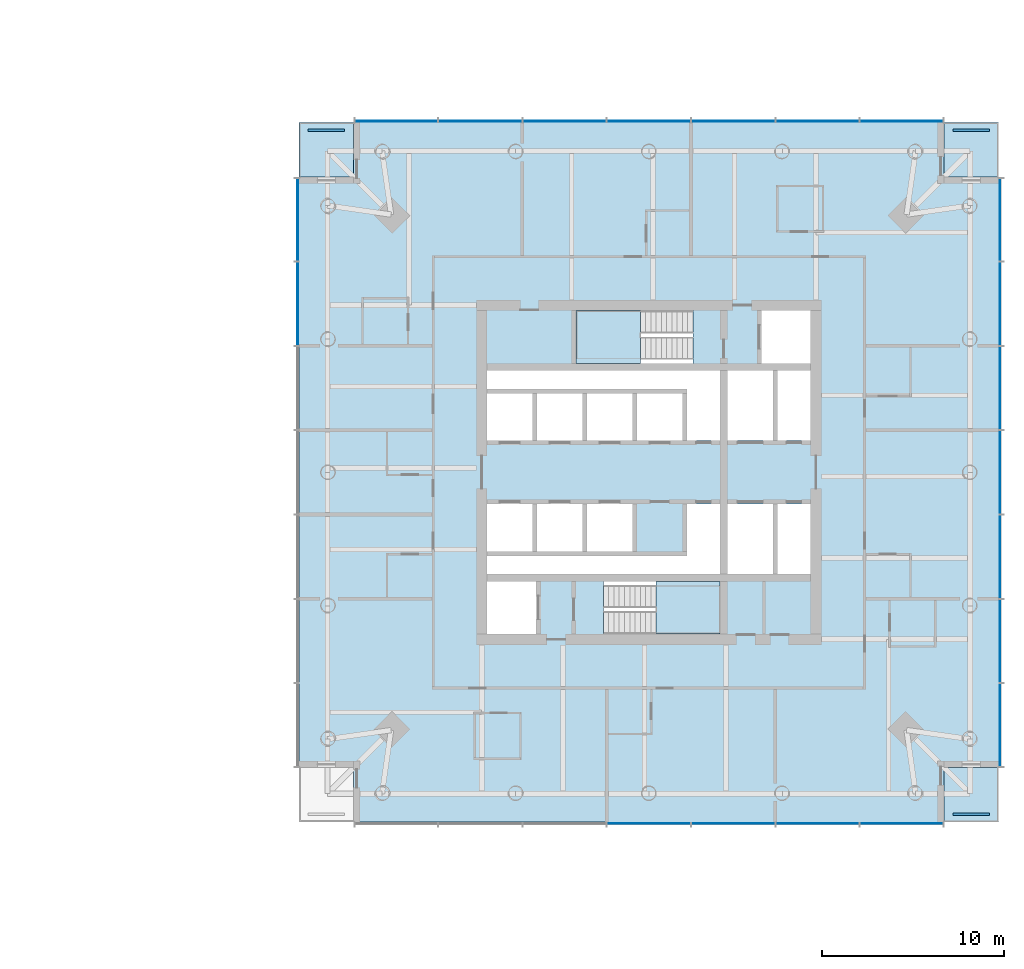
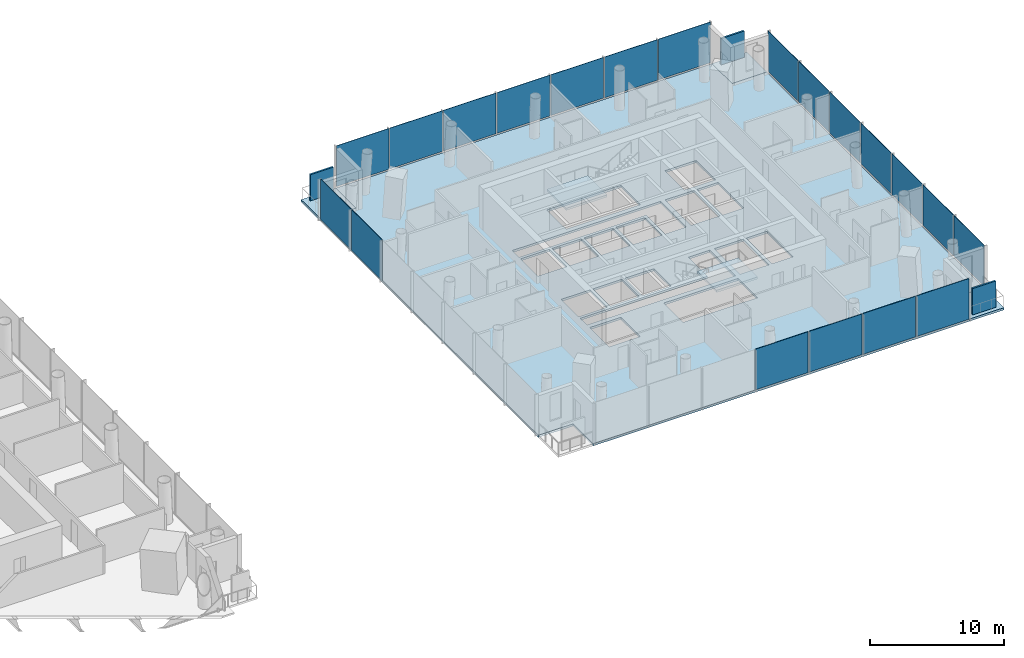
# One storey, part 8 of 26: 23 plates, 6 slabs, 6 elements without a shape of their own.
"""IFC4 building model written with IfcOpenShell, lengths in metres."""

import ifcopenshell
import ifcopenshell.guid

model = None  # the IFC model being written
_history = None  # IfcOwnerHistory: only IFC2X3 demands one
_inside = {}  # id of a spatial element -> (the spatial element, [elements in it])
_under = {}  # id of a project, library or spatial element -> (it, [spatial elements below it])
_declared = {}  # id of a project -> (the project, [libraries it declares])
_typed = {}  # id of a type object -> (the type object, [elements of that type])
_made_of = {}  # id of a material, layer set ... -> (it, [elements and type objects made of it])


def new_model(schema):
    """Start an empty IFC model of exactly this schema.

    Asked for "IFC4X3", IfcOpenShell would pick the latest addendum, in which some entities
    have other attributes; the version numbers below select the first issue.
    IFC2X3 requires an IfcOwnerHistory on every rooted entity: one is made here for all.
    """
    global model, _history
    if schema == "IFC4X3":
        model = ifcopenshell.file(schema_version=(4, 3, 0, 0))
    else:
        model = ifcopenshell.file(schema=schema)
    _inside.clear()
    _under.clear()
    _declared.clear()
    _typed.clear()
    _made_of.clear()
    _history = None
    if model.schema == "IFC2X3":
        org = make("IfcOrganization", Name="unknown")
        user = make(
            "IfcPersonAndOrganization",
            ThePerson=make("IfcPerson", FamilyName="unknown"),
            TheOrganization=org,
        )
        app = make(
            "IfcApplication",
            ApplicationDeveloper=org,
            Version="unknown",
            ApplicationFullName="unknown",
            ApplicationIdentifier="unknown",
        )
        _history = make(
            "IfcOwnerHistory",
            OwningUser=user,
            OwningApplication=app,
            ChangeAction="ADDED",
            CreationDate=0,
        )
    return model


def make(cls, **values):
    """One entity of the class cls with the attributes given. An attribute that is None is left unset."""
    return model.create_entity(
        cls, **{name: value for name, value in values.items() if value is not None}
    )


def rooted(cls, **values):
    """An entity with a GlobalId (a new one), such as an element, a storey or a relation."""
    return make(cls, GlobalId=ifcopenshell.guid.new(), OwnerHistory=_history, **values)


def si_unit(unit_type, name, prefix=None):
    """IfcSIUnit, for example si_unit("LENGTHUNIT", "METRE", prefix="MILLI")."""
    return make("IfcSIUnit", UnitType=unit_type, Prefix=prefix, Name=name)


def assignment(units):
    """IfcUnitAssignment: the units of a project."""
    return None if units is None else make("IfcUnitAssignment", Units=units)


def point(xyz):
    """IfcCartesianPoint."""
    return None if xyz is None else make("IfcCartesianPoint", Coordinates=xyz)


def direction(xyz):
    """IfcDirection."""
    return None if xyz is None else make("IfcDirection", DirectionRatios=xyz)


def frame(location, z_axis=None, x_axis=None):
    """IfcAxis2Placement3D, a coordinate frame: its origin and axes. An axis left out is left unset."""
    return make(
        "IfcAxis2Placement3D",
        Location=point(location),
        Axis=direction(z_axis),
        RefDirection=direction(x_axis),
    )


def frame_2d(location, x_axis=None):
    """IfcAxis2Placement2D, a coordinate frame in the plane: its origin and x axis."""
    return make(
        "IfcAxis2Placement2D", Location=point(location), RefDirection=direction(x_axis)
    )


def origin():
    """The frame at (0, 0, 0) with its axes left unset."""
    return frame((0.0, 0.0, 0.0))


def origin_2d():
    """The frame at (0, 0) in the plane with its x axis left unset."""
    return frame_2d((0.0, 0.0))


def place(relative_to, where):
    """IfcLocalPlacement: puts the frame where relative to a parent placement (None: the world)."""
    return make(
        "IfcLocalPlacement", PlacementRelTo=relative_to, RelativePlacement=where
    )


def context(
    kind, dimensions, precision=None, world=None, true_north=None, identifier=None
):
    """IfcGeometricRepresentationContext, for example the 3D "Model" context."""
    return make(
        "IfcGeometricRepresentationContext",
        ContextIdentifier=identifier,
        ContextType=kind,
        CoordinateSpaceDimension=dimensions,
        Precision=precision,
        WorldCoordinateSystem=world,
        TrueNorth=true_north,
    )


def subcontext(parent, identifier, kind, view, scale=None):
    """IfcGeometricRepresentationSubContext, for example "Body" below "Model"."""
    return make(
        "IfcGeometricRepresentationSubContext",
        ContextIdentifier=identifier,
        ContextType=kind,
        ParentContext=parent,
        TargetScale=scale,
        TargetView=view,
    )


def project(units=None, contexts=None):
    """IfcProject with its units and contexts."""
    return rooted(
        "IfcProject",
        Name="project",
        RepresentationContexts=contexts,
        UnitsInContext=assignment(units),
    )


def spatial(cls, under=None, at=None, **own):
    """A site, building, storey or space (cls), placed at a placement, below another one or the project."""
    s = rooted(cls, ObjectPlacement=at, **own)
    if under is not None:
        _under.setdefault(under.id(), (under, []))[1].append(s)
    return s


def polyline(points):
    """IfcPolyline through the points."""
    return make("IfcPolyline", Points=[point(p) for p in points])


def profile(cls, at=None, kind="AREA", **sizes):
    """A parametric profile (cls). Its sizes go by their IFC names, for example OverallWidth=200.0."""
    return make(cls, ProfileType=kind, Position=at, **sizes)


def rectangle(**sizes):
    """IfcRectangleProfileDef."""
    return profile("IfcRectangleProfileDef", **sizes)


def outline(outer, holes=None, kind="AREA"):
    """IfcArbitraryClosedProfileDef: a profile drawn as a closed curve; with holes, ...WithVoids."""
    if holes is None:
        return make("IfcArbitraryClosedProfileDef", ProfileType=kind, OuterCurve=outer)
    return make(
        "IfcArbitraryProfileDefWithVoids",
        ProfileType=kind,
        OuterCurve=outer,
        InnerCurves=holes,
    )


def extrude(swept, where, along, depth):
    """IfcExtrudedAreaSolid: the profile swept, set in the frame where, extruded along a direction by depth."""
    return make(
        "IfcExtrudedAreaSolid",
        SweptArea=swept,
        Position=where,
        ExtrudedDirection=direction(along),
        Depth=depth,
    )


def shape(context_of_items, identifier, shape_type, items):
    """IfcShapeRepresentation: the items that make up one representation, for example the "Body"."""
    return make(
        "IfcShapeRepresentation",
        ContextOfItems=context_of_items,
        RepresentationIdentifier=identifier,
        RepresentationType=shape_type,
        Items=items,
    )


def material(Name=None, Category=None):
    """IfcMaterial."""
    return make("IfcMaterial", Name=Name, Category=Category)


def layer(
    of_material, thickness, ventilated=None, Name=None, Category=None, Priority=None
):
    """IfcMaterialLayer: one layer of a wall or slab, of a material (None: an air gap)."""
    return make(
        "IfcMaterialLayer",
        Material=of_material,
        LayerThickness=thickness,
        IsVentilated=ventilated,
        Name=Name,
        Category=Category,
        Priority=Priority,
    )


def layer_set(layers, Name=None):
    """IfcMaterialLayerSet."""
    return make("IfcMaterialLayerSet", MaterialLayers=layers, LayerSetName=Name)


def made_of(thing, what):
    """Note that an element or type object is made of a material, layer set ...; save() writes the relation."""
    if what is not None:
        _made_of.setdefault(what.id(), (what, []))[1].append(thing)
    return thing


def type_object(cls, material=None, **own):
    """A type object (cls), such as IfcWallType, which elements share."""
    return made_of(rooted(cls, **own), material)


def element(
    cls,
    number,
    at=None,
    inside=None,
    cuts=None,
    type_object=None,
    material=None,
    context=None,
    identifier="Body",
    shape_type=None,
    held_by="IfcProductDefinitionShape",
    body=None,
    shapes=None,
    **own,
):
    """One element of the class cls, such as IfcWall. Its Tag is "e" and its number.

    at: its placement. inside: the storey or other place that contains it. cuts: it is an
    opening in that element (IfcRelVoidsElement). A single representation is given by context,
    identifier, shape_type and body (its items); several are given by shapes. held_by: the class
    of the entity that holds the representations. save() writes the other relations.
    """
    e = rooted(cls, Tag="e%d" % number, ObjectPlacement=at, **own)
    if body is not None:
        shapes = [shape(context, identifier, shape_type, body)]
    if shapes is not None:
        e.Representation = make(held_by, Representations=shapes)
    if inside is not None:
        _inside.setdefault(inside.id(), (inside, []))[1].append(e)
    if cuts is not None:
        rooted(
            "IfcRelVoidsElement", RelatingBuildingElement=cuts, RelatedOpeningElement=e
        )
    if type_object is not None:
        _typed.setdefault(type_object.id(), (type_object, []))[1].append(e)
    return made_of(e, material)


def aggregate(whole, parts):
    """IfcRelAggregates: a whole, such as a stair, and the parts it consists of."""
    return rooted("IfcRelAggregates", RelatingObject=whole, RelatedObjects=parts)


def save(model, path):
    """Write the relations noted so far, then the file.

    IfcRelAggregates (storeys below a building ...), IfcRelContainedInSpatialStructure (elements
    in a storey), IfcRelDefinesByType, IfcRelAssociatesMaterial and IfcRelDeclares: one each for
    every whole, place, type object, material and project.
    """
    for whole, parts in _under.values():
        aggregate(whole, parts)
    for where, things in _inside.values():
        rooted(
            "IfcRelContainedInSpatialStructure",
            RelatedElements=things,
            RelatingStructure=where,
        )
    for kind, things in _typed.values():
        rooted("IfcRelDefinesByType", RelatedObjects=things, RelatingType=kind)
    for what, things in _made_of.values():
        rooted("IfcRelAssociatesMaterial", RelatedObjects=things, RelatingMaterial=what)
    for by, libraries in _declared.values():
        rooted("IfcRelDeclares", RelatingContext=by, RelatedDefinitions=libraries)
    model.write(path)


model = new_model("IFC4")

# Units and contexts
model_context = context("Model", 3, precision=1e-05, world=origin(), true_north=direction((0.0, 1.0)))
body_context = subcontext(model_context, "Body", "Model", "MODEL_VIEW")
ifc_project = project(units=[si_unit("LENGTHUNIT", "METRE"), si_unit("AREAUNIT", "SQUARE_METRE"), si_unit("VOLUMEUNIT", "CUBIC_METRE"), si_unit("PLANEANGLEUNIT", "RADIAN"), si_unit("MASSUNIT", "GRAM", prefix="KILO")], contexts=[model_context])

# Site, building, storey
site_placement = place(None, origin())
site = spatial("IfcSite", under=ifc_project, at=site_placement, CompositionType="ELEMENT")
building_placement = place(site_placement, origin())
building = spatial("IfcBuilding", under=site, at=building_placement, Name="Ostroluk Exchange", CompositionType="ELEMENT")
storey_placement = place(building_placement, frame((0.0, 0.0, 51.39990234375)))
storey = spatial("IfcBuildingStorey", under=building, at=storey_placement, Name="L12", CompositionType="ELEMENT", Elevation=51.39990234375)

# Curtain wall, plates
ifc_material_1 = material(Name="Laminated clear glass", Category="glass")
curtain_wall_type = type_object("IfcCurtainWallType", Name="Hotel guest floor facade", PredefinedType="USERDEFINED", material=ifc_material_1)
curtain_wall_1_placement = place(storey_placement, origin())
curtain_wall_1 = element("IfcCurtainWall", 1, at=curtain_wall_1_placement, inside=storey, type_object=curtain_wall_type, Name="Hotel tower south facade L12", ObjectType="UNITISED CURTAIN WALL", PredefinedType="USERDEFINED")
ifc_material_2 = material(Name="Laminated clear glass", Category="glass")
ifc_layer_1 = layer(ifc_material_2, 0.0400390625)
ifc_layer_set_1 = layer_set([ifc_layer_1], Name="Acoustic laminated glazing 40")
plate_type_1 = type_object("IfcPlateType", Name="Acoustic laminated glazing 40", PredefinedType="CURTAIN_PANEL", material=ifc_layer_set_1)
plate_1_placement = place(storey_placement, frame((117.0, 26.675048828125, 0.080078125), z_axis=(0.0, 0.0, 1.0), x_axis=(1.0, 0.0, 0.0)))
plate_1 = element("IfcPlate", 2, at=plate_1_placement, type_object=plate_type_1, Name="CW-H1 panel 4.1", PredefinedType="CURTAIN_PANEL", context=body_context, shape_type="SweptSolid", body=[
    extrude(rectangle(XDim=4.562744140625, YDim=0.0400390625, at=origin_2d()), origin(), (0.0, 0.0, 1.0), 3.719970703125),
])
plate_2_placement = place(storey_placement, frame((121.642822265625, 26.675048828125, 0.080078125), z_axis=(0.0, 0.0, 1.0), x_axis=(1.0, 0.0, 0.0)))
plate_2 = element("IfcPlate", 3, at=plate_2_placement, type_object=plate_type_1, Name="CW-H1 panel 5.1", PredefinedType="CURTAIN_PANEL", context=body_context, shape_type="SweptSolid", body=[
    extrude(rectangle(XDim=4.562744140625, YDim=0.0400390625, at=origin_2d()), origin(), (0.0, 0.0, 1.0), 3.719970703125),
])
plate_3_placement = place(storey_placement, frame((126.28564453125, 26.675048828125, 0.080078125), z_axis=(0.0, 0.0, 1.0), x_axis=(1.0, 0.0, 0.0)))
plate_3 = element("IfcPlate", 4, at=plate_3_placement, type_object=plate_type_1, Name="CW-H1 panel 6.1", PredefinedType="CURTAIN_PANEL", context=body_context, shape_type="SweptSolid", body=[
    extrude(rectangle(XDim=4.562744140625, YDim=0.0400390625, at=origin_2d()), origin(), (0.0, 0.0, 1.0), 3.719970703125),
])
plate_4_placement = place(storey_placement, frame((130.90869140625, 26.675048828125, 0.080078125), z_axis=(0.0, 0.0, 1.0), x_axis=(1.0, 0.0, 0.0)))
plate_4 = element("IfcPlate", 5, at=plate_4_placement, type_object=plate_type_1, Name="CW-H1 panel 7.1", PredefinedType="CURTAIN_PANEL", context=body_context, shape_type="SweptSolid", body=[
    extrude(rectangle(XDim=4.52294921875, YDim=0.0400390625, at=origin_2d()), origin(), (0.0, 0.0, 1.0), 3.719970703125),
])
aggregate(curtain_wall_1, [plate_1, plate_2, plate_3, plate_4])

curtain_wall_2_placement = place(storey_placement, origin())
curtain_wall_2 = element("IfcCurtainWall", 6, at=curtain_wall_2_placement, inside=storey, type_object=curtain_wall_type, Name="Hotel tower east facade L12", ObjectType="UNITISED CURTAIN WALL", PredefinedType="USERDEFINED")
plate_5_placement = place(storey_placement, frame((136.324951171875, 32.09130859375, 0.080078125), z_axis=(0.0, 0.0, 1.0), x_axis=(0.0, 1.0, 0.0)))
plate_5 = element("IfcPlate", 7, at=plate_5_placement, type_object=plate_type_1, Name="CW-H1 panel 1.1", PredefinedType="CURTAIN_PANEL", context=body_context, shape_type="SweptSolid", body=[
    extrude(rectangle(XDim=4.52294921875, YDim=0.0400390625, at=origin_2d()), origin(), (0.0, 0.0, 1.0), 3.719970703125),
])
plate_6_placement = place(storey_placement, frame((136.324951171875, 36.71435546875, 0.080078125), z_axis=(0.0, 0.0, 1.0), x_axis=(0.0, 1.0, 0.0)))
plate_6 = element("IfcPlate", 8, at=plate_6_placement, type_object=plate_type_1, Name="CW-H1 panel 2.1", PredefinedType="CURTAIN_PANEL", context=body_context, shape_type="SweptSolid", body=[
    extrude(rectangle(XDim=4.562744140625, YDim=0.0400390625, at=origin_2d()), origin(), (0.0, 0.0, 1.0), 3.719970703125),
])
plate_7_placement = place(storey_placement, frame((136.324951171875, 41.357177734375, 0.080078125), z_axis=(0.0, 0.0, 1.0), x_axis=(0.0, 1.0, 0.0)))
plate_7 = element("IfcPlate", 9, at=plate_7_placement, type_object=plate_type_1, Name="CW-H1 panel 3.1", PredefinedType="CURTAIN_PANEL", context=body_context, shape_type="SweptSolid", body=[
    extrude(rectangle(XDim=4.562744140625, YDim=0.0400390625, at=origin_2d()), origin(), (0.0, 0.0, 1.0), 3.719970703125),
])
plate_8_placement = place(storey_placement, frame((136.324951171875, 46.0, 0.080078125), z_axis=(0.0, 0.0, 1.0), x_axis=(0.0, 1.0, 0.0)))
plate_8 = element("IfcPlate", 10, at=plate_8_placement, type_object=plate_type_1, Name="CW-H1 panel 4.1", PredefinedType="CURTAIN_PANEL", context=body_context, shape_type="SweptSolid", body=[
    extrude(rectangle(XDim=4.562744140625, YDim=0.0400390625, at=origin_2d()), origin(), (0.0, 0.0, 1.0), 3.719970703125),
])
plate_9_placement = place(storey_placement, frame((136.324951171875, 50.642822265625, 0.080078125), z_axis=(0.0, 0.0, 1.0), x_axis=(0.0, 1.0, 0.0)))
plate_9 = element("IfcPlate", 11, at=plate_9_placement, type_object=plate_type_1, Name="CW-H1 panel 5.1", PredefinedType="CURTAIN_PANEL", context=body_context, shape_type="SweptSolid", body=[
    extrude(rectangle(XDim=4.562744140625, YDim=0.0400390625, at=origin_2d()), origin(), (0.0, 0.0, 1.0), 3.719970703125),
])
plate_10_placement = place(storey_placement, frame((136.324951171875, 55.28564453125, 0.080078125), z_axis=(0.0, 0.0, 1.0), x_axis=(0.0, 1.0, 0.0)))
plate_10 = element("IfcPlate", 12, at=plate_10_placement, type_object=plate_type_1, Name="CW-H1 panel 6.1", PredefinedType="CURTAIN_PANEL", context=body_context, shape_type="SweptSolid", body=[
    extrude(rectangle(XDim=4.562744140625, YDim=0.0400390625, at=origin_2d()), origin(), (0.0, 0.0, 1.0), 3.719970703125),
])
plate_11_placement = place(storey_placement, frame((136.324951171875, 59.90869140625, 0.080078125), z_axis=(0.0, 0.0, 1.0), x_axis=(0.0, 1.0, 0.0)))
plate_11 = element("IfcPlate", 13, at=plate_11_placement, type_object=plate_type_1, Name="CW-H1 panel 7.1", PredefinedType="CURTAIN_PANEL", context=body_context, shape_type="SweptSolid", body=[
    extrude(rectangle(XDim=4.52294921875, YDim=0.0400390625, at=origin_2d()), origin(), (0.0, 0.0, 1.0), 3.719970703125),
])
aggregate(curtain_wall_2, [plate_5, plate_6, plate_7, plate_8, plate_9, plate_10, plate_11])

curtain_wall_3_placement = place(storey_placement, origin())
curtain_wall_3 = element("IfcCurtainWall", 14, at=curtain_wall_3_placement, inside=storey, type_object=curtain_wall_type, Name="Hotel tower north facade L12", ObjectType="UNITISED CURTAIN WALL", PredefinedType="USERDEFINED")
plate_12_placement = place(storey_placement, frame((130.90869140625, 65.324951171875, 0.080078125), z_axis=(0.0, 0.0, 1.0), x_axis=(-1.0, 0.0, 0.0)))
plate_12 = element("IfcPlate", 15, at=plate_12_placement, type_object=plate_type_1, Name="CW-H1 panel 1.1", PredefinedType="CURTAIN_PANEL", context=body_context, shape_type="SweptSolid", body=[
    extrude(rectangle(XDim=4.52294921875, YDim=0.0400390625, at=origin_2d()), origin(), (0.0, 0.0, 1.0), 3.719970703125),
])
plate_13_placement = place(storey_placement, frame((126.28564453125, 65.324951171875, 0.080078125), z_axis=(0.0, 0.0, 1.0), x_axis=(-1.0, 0.0, 0.0)))
plate_13 = element("IfcPlate", 16, at=plate_13_placement, type_object=plate_type_1, Name="CW-H1 panel 2.1", PredefinedType="CURTAIN_PANEL", context=body_context, shape_type="SweptSolid", body=[
    extrude(rectangle(XDim=4.562744140625, YDim=0.0400390625, at=origin_2d()), origin(), (0.0, 0.0, 1.0), 3.719970703125),
])
plate_14_placement = place(storey_placement, frame((121.642822265625, 65.324951171875, 0.080078125), z_axis=(0.0, 0.0, 1.0), x_axis=(-1.0, 0.0, 0.0)))
plate_14 = element("IfcPlate", 17, at=plate_14_placement, type_object=plate_type_1, Name="CW-H1 panel 3.1", PredefinedType="CURTAIN_PANEL", context=body_context, shape_type="SweptSolid", body=[
    extrude(rectangle(XDim=4.562744140625, YDim=0.0400390625, at=origin_2d()), origin(), (0.0, 0.0, 1.0), 3.719970703125),
])
plate_15_placement = place(storey_placement, frame((117.0, 65.324951171875, 0.080078125), z_axis=(0.0, 0.0, 1.0), x_axis=(-1.0, 0.0, 0.0)))
plate_15 = element("IfcPlate", 18, at=plate_15_placement, type_object=plate_type_1, Name="CW-H1 panel 4.1", PredefinedType="CURTAIN_PANEL", context=body_context, shape_type="SweptSolid", body=[
    extrude(rectangle(XDim=4.562744140625, YDim=0.0400390625, at=origin_2d()), origin(), (0.0, 0.0, 1.0), 3.719970703125),
])
plate_16_placement = place(storey_placement, frame((112.357177734375, 65.324951171875, 0.080078125), z_axis=(0.0, 0.0, 1.0), x_axis=(-1.0, 0.0, 0.0)))
plate_16 = element("IfcPlate", 19, at=plate_16_placement, type_object=plate_type_1, Name="CW-H1 panel 5.1", PredefinedType="CURTAIN_PANEL", context=body_context, shape_type="SweptSolid", body=[
    extrude(rectangle(XDim=4.562744140625, YDim=0.0400390625, at=origin_2d()), origin(), (0.0, 0.0, 1.0), 3.719970703125),
])
plate_17_placement = place(storey_placement, frame((107.71435546875, 65.324951171875, 0.080078125), z_axis=(0.0, 0.0, 1.0), x_axis=(-1.0, 0.0, 0.0)))
plate_17 = element("IfcPlate", 20, at=plate_17_placement, type_object=plate_type_1, Name="CW-H1 panel 6.1", PredefinedType="CURTAIN_PANEL", context=body_context, shape_type="SweptSolid", body=[
    extrude(rectangle(XDim=4.562744140625, YDim=0.0400390625, at=origin_2d()), origin(), (0.0, 0.0, 1.0), 3.719970703125),
])
plate_18_placement = place(storey_placement, frame((103.09130859375, 65.324951171875, 0.080078125), z_axis=(0.0, 0.0, 1.0), x_axis=(-1.0, 0.0, 0.0)))
plate_18 = element("IfcPlate", 21, at=plate_18_placement, type_object=plate_type_1, Name="CW-H1 panel 7.1", PredefinedType="CURTAIN_PANEL", context=body_context, shape_type="SweptSolid", body=[
    extrude(rectangle(XDim=4.52294921875, YDim=0.0400390625, at=origin_2d()), origin(), (0.0, 0.0, 1.0), 3.719970703125),
])
aggregate(curtain_wall_3, [plate_12, plate_13, plate_14, plate_15, plate_16, plate_17, plate_18])

curtain_wall_4_placement = place(storey_placement, origin())
curtain_wall_4 = element("IfcCurtainWall", 22, at=curtain_wall_4_placement, inside=storey, type_object=curtain_wall_type, Name="Hotel tower west facade L12", ObjectType="UNITISED CURTAIN WALL", PredefinedType="USERDEFINED")
plate_19_placement = place(storey_placement, frame((97.675048828125, 59.90869140625, 0.080078125), z_axis=(0.0, 0.0, 1.0), x_axis=(0.0, -1.0, 0.0)))
plate_19 = element("IfcPlate", 23, at=plate_19_placement, type_object=plate_type_1, Name="CW-H1 panel 1.1", PredefinedType="CURTAIN_PANEL", context=body_context, shape_type="SweptSolid", body=[
    extrude(rectangle(XDim=4.52294921875, YDim=0.0400390625, at=origin_2d()), origin(), (0.0, 0.0, 1.0), 3.719970703125),
])
plate_20_placement = place(storey_placement, frame((97.675048828125, 55.28564453125, 0.080078125), z_axis=(0.0, 0.0, 1.0), x_axis=(0.0, -1.0, 0.0)))
plate_20 = element("IfcPlate", 24, at=plate_20_placement, type_object=plate_type_1, Name="CW-H1 panel 2.1", PredefinedType="CURTAIN_PANEL", context=body_context, shape_type="SweptSolid", body=[
    extrude(rectangle(XDim=4.562744140625, YDim=0.0400390625, at=origin_2d()), origin(), (0.0, 0.0, 1.0), 3.719970703125),
])
aggregate(curtain_wall_4, [plate_19, plate_20])

# Slabs
ifc_material_3 = material(Name="Concrete C35/45", Category="concrete")
ifc_layer_2 = layer(ifc_material_3, 0.199951171875)
ifc_layer_set_2 = layer_set([ifc_layer_2], Name="Balcony slab 200")
slab_type_1 = type_object("IfcSlabType", Name="Balcony slab 200", PredefinedType="USERDEFINED", material=ifc_layer_set_2)
slab_1_placement = place(storey_placement, frame((0.0, 0.0, -0.199951171875)))
element("IfcSlab", 25, at=slab_1_placement, inside=storey, type_object=slab_type_1, Name="Hotel tower SE corner balcony L12", ObjectType="BALCONY", PredefinedType="USERDEFINED", context=body_context, shape_type="SweptSolid", body=[
    extrude(outline(polyline([(133.25, 26.75), (136.25, 26.75), (136.25, 29.75), (133.25, 29.75), (133.25, 26.75)])), origin(), (0.0, 0.0, 1.0), 0.199951171875),
])
slab_2_placement = place(storey_placement, frame((0.0, 0.0, -0.199951171875)))
element("IfcSlab", 26, at=slab_2_placement, inside=storey, type_object=slab_type_1, Name="Hotel tower NE corner balcony L12", ObjectType="BALCONY", PredefinedType="USERDEFINED", context=body_context, shape_type="SweptSolid", body=[
    extrude(outline(polyline([(133.25, 62.25), (136.25, 62.25), (136.25, 65.25), (133.25, 65.25), (133.25, 62.25)])), origin(), (0.0, 0.0, 1.0), 0.199951171875),
])
slab_3_placement = place(storey_placement, frame((0.0, 0.0, -0.199951171875)))
element("IfcSlab", 27, at=slab_3_placement, inside=storey, type_object=slab_type_1, Name="Hotel tower NW corner balcony L12", ObjectType="BALCONY", PredefinedType="USERDEFINED", context=body_context, shape_type="SweptSolid", body=[
    extrude(outline(polyline([(97.75, 62.25), (100.75, 62.25), (100.75, 65.25), (97.75, 65.25), (97.75, 62.25)])), origin(), (0.0, 0.0, 1.0), 0.199951171875),
])

# Plates
ifc_material_4 = material(Name="Steel S355 trellis with planting", Category="steel")
ifc_layer_3 = layer(ifc_material_4, 0.14990234375)
ifc_layer_set_3 = layer_set([ifc_layer_3], Name="Planted screen 150")
plate_type_2 = type_object("IfcPlateType", Name="Planted screen 150", PredefinedType="USERDEFINED", material=ifc_layer_set_3)
for number, where, z_axis, x_axis, name in (
    (28, (134.75, 27.175048828125, 0.000244140625), (0.0, 0.0, 1.0), (1.0, 0.0, 0.0), "Hotel tower SE planted screen L12"),
    (29, (134.75, 64.824951171875, 0.000244140625), (0.0, 0.0, 1.0), (1.0, 0.0, 0.0), "Hotel tower NE planted screen L12"),
    (30, (99.25, 64.824951171875, 0.000244140625), (0.0, 0.0, 1.0), (1.0, 0.0, 0.0), "Hotel tower NW planted screen L12"),
):
    element("IfcPlate", number, at=place(storey_placement, frame(where, z_axis=z_axis, x_axis=x_axis)), inside=storey, type_object=plate_type_2, Name=name, ObjectType="PLANTED SCREEN", PredefinedType="USERDEFINED", context=body_context, shape_type="SweptSolid", body=[
        extrude(rectangle(XDim=2.0, YDim=0.14990234375, at=origin_2d()), origin(), (0.0, 0.0, 1.0), 2.39990234375),
    ])

# Stair, slab
ifc_material_5 = material(Name="Concrete C30/37", Category="concrete")
stair_type = type_object("IfcStairType", Name="Exit stair half turn 3800", PredefinedType="HALF_TURN_STAIR", material=ifc_material_5)
stair_1_placement = place(storey_placement, origin())
stair_1 = element("IfcStair", 31, at=stair_1_placement, inside=storey, type_object=stair_type, Name="Stair T2-S1 L12", PredefinedType="HALF_TURN_STAIR")
ifc_material_6 = material(Name="Concrete C30/37", Category="concrete")
ifc_layer_4 = layer(ifc_material_6, 0.199951171875)
ifc_layer_set_4 = layer_set([ifc_layer_4], Name="Stair landing 200")
slab_type_2 = type_object("IfcSlabType", Name="Stair landing 200", PredefinedType="LANDING", material=ifc_layer_set_4)
slab_4_placement = place(storey_placement, frame((0.0, 0.0, 1.7001953125)))
slab_4 = element("IfcSlab", 32, at=slab_4_placement, type_object=slab_type_2, Name="T2-S1 landing 1", PredefinedType="LANDING", context=body_context, shape_type="SweptSolid", body=[
    extrude(outline(polyline([(117.39990234375, 37.10009765625), (117.39990234375, 40.0), (120.929931640625, 40.0), (120.929931640625, 37.10009765625), (117.39990234375, 37.10009765625)])), origin(), (0.0, 0.0, 1.0), 0.199951171875),
])
aggregate(stair_1, [slab_4])

stair_2_placement = place(storey_placement, origin())
stair_2 = element("IfcStair", 33, at=stair_2_placement, inside=storey, type_object=stair_type, Name="Stair T2-S2 L12", PredefinedType="HALF_TURN_STAIR")
slab_5_placement = place(storey_placement, frame((0.0, 0.0, 1.7001953125)))
slab_5 = element("IfcSlab", 34, at=slab_5_placement, type_object=slab_type_2, Name="T2-S2 landing 1", PredefinedType="LANDING", context=body_context, shape_type="SweptSolid", body=[
    extrude(outline(polyline([(116.530029296875, 52.0), (116.530029296875, 54.89990234375), (113.0, 54.89990234375), (113.0, 52.0), (116.530029296875, 52.0)])), origin(), (0.0, 0.0, 1.0), 0.199951171875),
])
aggregate(stair_2, [slab_5])

# Slab
ifc_material_7 = material(Name="Concrete C35/45", Category="concrete")
ifc_layer_5 = layer(ifc_material_7, 0.199951171875)
ifc_layer_set_5 = layer_set([ifc_layer_5], Name="Tower floor slab 200 composite")
slab_type_3 = type_object("IfcSlabType", Name="Tower floor slab 200 composite", PredefinedType="FLOOR", material=ifc_layer_set_5)
slab_6_placement = place(storey_placement, frame((0.0, 0.0, -0.199951171875)))
element("IfcSlab", 35, at=slab_6_placement, inside=storey, type_object=slab_type_3, Name="Hotel tower floor slab L12", PredefinedType="FLOOR", context=body_context, shape_type="SweptSolid", body=[
    extrude(outline(polyline([(100.75, 26.75), (133.25, 26.75), (133.25, 29.75), (136.25, 29.75), (136.25, 62.25), (133.25, 62.25), (133.25, 65.25), (100.75, 65.25), (100.75, 62.25), (97.75, 62.25), (97.75, 29.75), (100.75, 29.75), (100.75, 26.75)]), holes=[polyline([(108.10009765625, 37.10009765625), (110.800048828125, 37.10009765625), (110.800048828125, 40.0), (108.10009765625, 40.0), (108.10009765625, 37.10009765625)]), polyline([(114.510009765625, 37.10009765625), (120.929931640625, 37.10009765625), (120.929931640625, 40.0), (114.510009765625, 40.0), (114.510009765625, 37.10009765625)]), polyline([(113.0, 52.0), (119.419921875, 52.0), (119.419921875, 54.89990234375), (113.0, 54.89990234375), (113.0, 52.0)]), polyline([(123.199951171875, 52.0), (125.89990234375, 52.0), (125.89990234375, 54.89990234375), (123.199951171875, 54.89990234375), (123.199951171875, 52.0)]), polyline([(108.10009765625, 47.75), (110.60009765625, 47.75), (110.60009765625, 50.35009765625), (108.10009765625, 50.35009765625), (108.10009765625, 47.75)]), polyline([(110.85009765625, 47.75), (113.35009765625, 47.75), (113.35009765625, 50.35009765625), (110.85009765625, 50.35009765625), (110.85009765625, 47.75)]), polyline([(113.60009765625, 47.75), (116.10009765625, 47.75), (116.10009765625, 50.35009765625), (113.60009765625, 50.35009765625), (113.60009765625, 47.75)]), polyline([(116.35009765625, 47.75), (118.85009765625, 47.75), (118.85009765625, 50.35009765625), (116.35009765625, 50.35009765625), (116.35009765625, 47.75)]), polyline([(108.10009765625, 41.64990234375), (110.60009765625, 41.64990234375), (110.60009765625, 44.25), (108.10009765625, 44.25), (108.10009765625, 41.64990234375)]), polyline([(110.85009765625, 41.64990234375), (113.35009765625, 41.64990234375), (113.35009765625, 44.25), (110.85009765625, 44.25), (110.85009765625, 41.64990234375)]), polyline([(113.60009765625, 41.64990234375), (116.10009765625, 41.64990234375), (116.10009765625, 44.25), (113.60009765625, 44.25), (113.60009765625, 41.64990234375)]), polyline([(121.330078125, 47.75), (123.830078125, 47.75), (123.830078125, 51.60009765625), (121.330078125, 51.60009765625), (121.330078125, 47.75)]), polyline([(121.330078125, 40.39990234375), (123.830078125, 40.39990234375), (123.830078125, 44.25), (121.330078125, 44.25), (121.330078125, 40.39990234375)]), polyline([(120.929931640625, 51.60009765625), (120.929931640625, 47.75), (119.10009765625, 47.75), (119.10009765625, 50.60009765625), (108.10009765625, 50.60009765625), (108.10009765625, 51.60009765625), (120.929931640625, 51.60009765625)]), polyline([(108.10009765625, 40.39990234375), (108.10009765625, 41.39990234375), (119.10009765625, 41.39990234375), (119.10009765625, 44.25), (120.929931640625, 44.25), (120.929931640625, 40.39990234375), (108.10009765625, 40.39990234375)]), polyline([(124.080078125, 47.75), (125.89990234375, 47.75), (125.89990234375, 51.60009765625), (124.080078125, 51.60009765625), (124.080078125, 47.75)]), polyline([(124.080078125, 40.39990234375), (125.89990234375, 40.39990234375), (125.89990234375, 44.25), (124.080078125, 44.25), (124.080078125, 40.39990234375)])]), origin(), (0.0, 0.0, 1.0), 0.199951171875),
])

save(model, "model.ifc")
